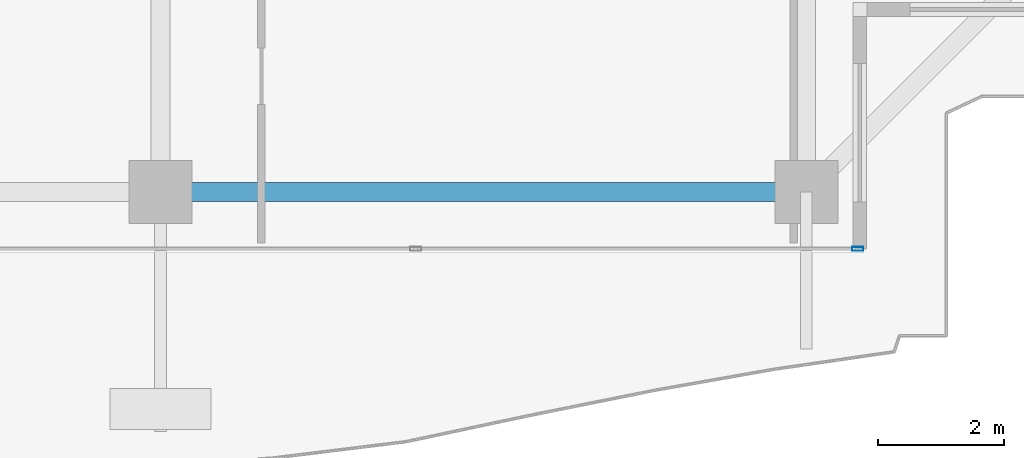
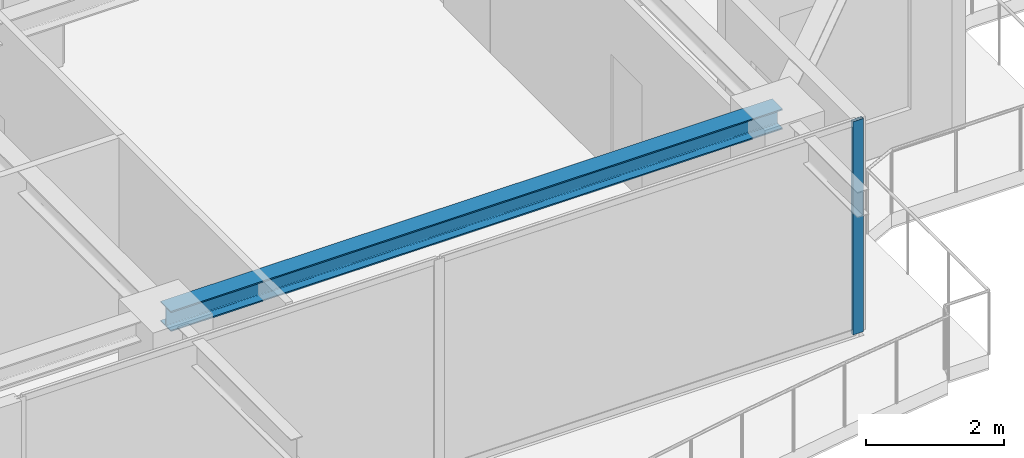
# One storey, part 12 of 42: 1 beam, 1 member, 1 element without a shape of its own.
"""IFC4 building model written with IfcOpenShell, lengths in metres."""

from ifc_helpers import new_model, si_unit, direction, frame, origin, origin_2d, place, context, subcontext, project, spatial, hollow_rectangle, i_section, extrude, source, transform, mapped, material, layer, layer_set, material_profile, profile_set, type_object, element, aggregate, save


model = new_model("IFC4")

# Units and contexts
model_context = context("Model", 3, precision=1e-05, world=origin(), true_north=direction((0.0, 1.0)))
body_context = subcontext(model_context, "Body", "Model", "MODEL_VIEW")
ifc_project = project(units=[si_unit("LENGTHUNIT", "METRE"), si_unit("AREAUNIT", "SQUARE_METRE"), si_unit("VOLUMEUNIT", "CUBIC_METRE"), si_unit("PLANEANGLEUNIT", "RADIAN"), si_unit("MASSUNIT", "GRAM", prefix="KILO")], contexts=[model_context])

# Site, building, storey
site_placement = place(None, origin())
site = spatial("IfcSite", under=ifc_project, at=site_placement, CompositionType="ELEMENT")
building_placement = place(site_placement, origin())
building = spatial("IfcBuilding", under=site, at=building_placement, Name="Serunith Strait Residences", CompositionType="ELEMENT")
storey_placement = place(building_placement, frame((0.0, 0.0, 293.449951171875)))
storey = spatial("IfcBuildingStorey", under=building, at=storey_placement, Name="L73", CompositionType="ELEMENT", Elevation=293.449951171875)

# Beam
ifc_material_1 = material(Name="Steel S355J2", Category="steel")
ifc_material_profile_1 = material_profile(ifc_material_1, i_section(OverallWidth=0.300048828125, OverallDepth=0.360107421875, WebThickness=0.012451171875, FlangeThickness=0.0224609375, FilletRadius=0.027099609375, at=origin_2d()), Name="HEB 360")
ifc_profile_set_1 = profile_set([ifc_material_profile_1], Name="Steel S355J2")
beam_type = type_object("IfcBeamType", Name="BM-HEB360", PredefinedType="BEAM", material=ifc_profile_set_1)
shared_shape_1 = source(origin(), body_context, "Body", "SweptSolid", [
    extrude(i_section(OverallWidth=0.300048828125, OverallDepth=0.360107421875, WebThickness=0.012451171875, FlangeThickness=0.0224609375, FilletRadius=0.027099609375, at=origin_2d()), origin(), (0.0, 0.0, 1.0), 10.25),
])
beam_placement = place(storey_placement, frame((36.89990234375, 3.300048828125, 3.60693359375), z_axis=(1.0, 0.0, 0.0), x_axis=(0.0, 1.0, 0.0)))
element("IfcBeam", 1, at=beam_placement, inside=storey, type_object=beam_type, Name="L73 Perimeter Ring Beam 03", PredefinedType="BEAM", context=body_context, shape_type="MappedRepresentation", body=[
    mapped(shared_shape_1, transform((0.0, 0.0, 0.0), scale=1.0)),
])

# Curtain wall, member
ifc_material_2 = material(Name="Brushed Stainless-Silver Aluminium", Category="aluminium")
ifc_layer = layer(ifc_material_2, 0.199951171875, Name="Brushed Stainless-Silver Aluminium")
ifc_layer_set = layer_set([ifc_layer], Name="Brushed Stainless-Silver Aluminium")
curtain_wall_type = type_object("IfcCurtainWallType", Name="CW-SYS5", PredefinedType="NOTDEFINED", material=ifc_layer_set)
curtain_wall_placement = place(storey_placement, origin())
curtain_wall = element("IfcCurtainWall", 2, at=curtain_wall_placement, inside=storey, type_object=curtain_wall_type, Name="L73 S Unitised Fritted Curtain Wall", PredefinedType="NOTDEFINED")
ifc_material_profile_2 = material_profile(ifc_material_2, hollow_rectangle(XDim=0.06494140625, YDim=0.179931640625, WallThickness=0.00341796875, InnerFilletRadius=0.00537109375, OuterFilletRadius=0.0087890625, at=origin_2d()), Name="ALU 180x65x3.5")
ifc_profile_set_2 = profile_set([ifc_material_profile_2], Name="Brushed Stainless-Silver Aluminium")
member_type = type_object("IfcMemberType", Name="CW-SYS5-MULL", PredefinedType="MULLION", material=ifc_profile_set_2)
shared_shape_2 = source(origin(), body_context, "Body", "SweptSolid", [
    extrude(hollow_rectangle(XDim=0.06494140625, YDim=0.179931640625, WallThickness=0.00341796875, InnerFilletRadius=0.00537109375, OuterFilletRadius=0.0087890625, at=origin_2d()), origin(), (0.0, 0.0, 1.0), 3.775146484375),
])
member_placement = place(storey_placement, frame((47.967529296875, 2.39990234375, 0.0), z_axis=(0.0, 0.0, 1.0), x_axis=(0.0, 1.0, 0.0)))
member = element("IfcMember", 3, at=member_placement, type_object=member_type, Name="CW-5 mullion 3", PredefinedType="MULLION", context=body_context, shape_type="MappedRepresentation", body=[
    mapped(shared_shape_2, transform((0.0, 0.0, 0.0), scale=1.0)),
])
aggregate(curtain_wall, [member])

save(model, "model.ifc")
